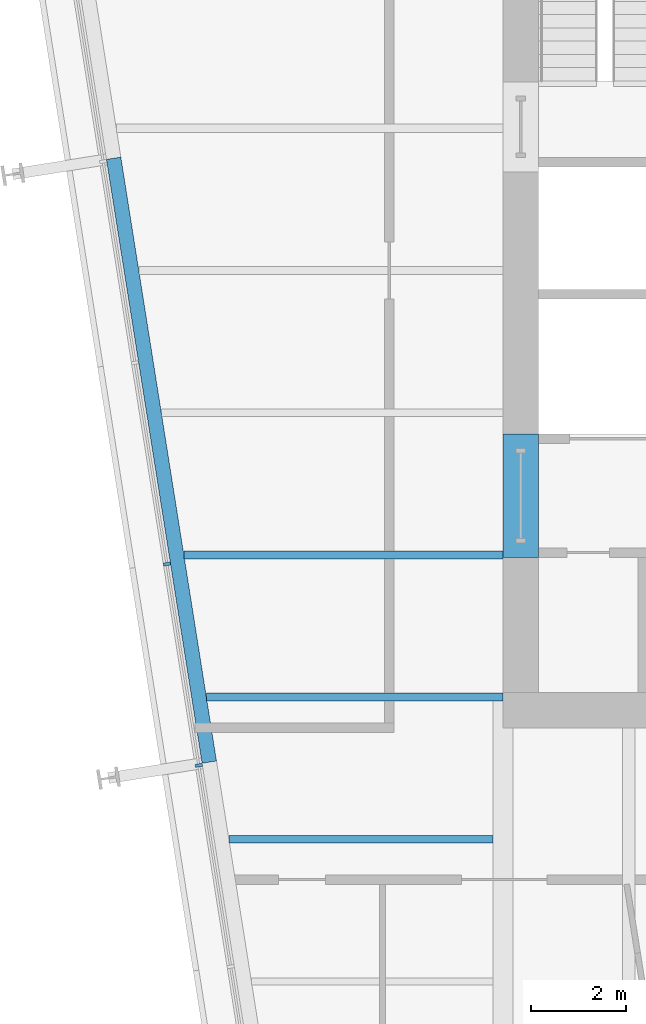
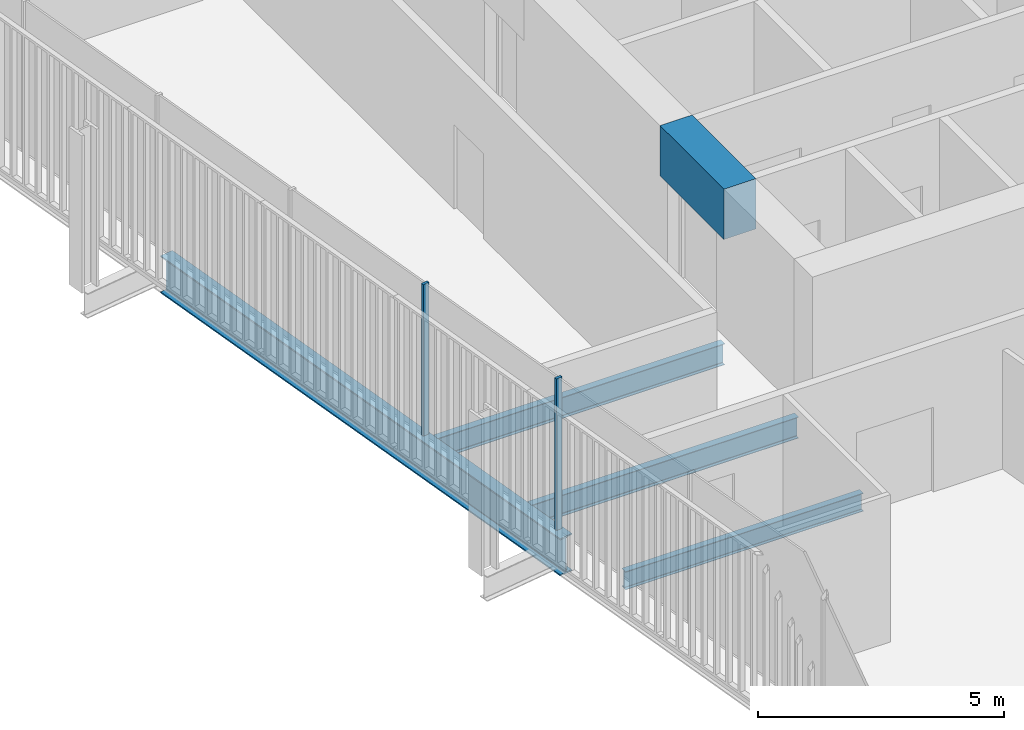
# One storey, part 4 of 21: 5 beams, 2 members, 1 element without a shape of its own.
"""IFC4 building model written with IfcOpenShell, lengths in metres."""

from ifc_helpers import new_model, si_unit, direction, frame, origin, origin_2d, place, context, subcontext, project, spatial, rectangle, i_section, extrude, material, layer, layer_set, material_profile, profile_set, type_object, element, aggregate, save


model = new_model("IFC4")

# Units and contexts
model_context = context("Model", 3, precision=1e-05, world=origin(), true_north=direction((0.0, 1.0)))
body_context = subcontext(model_context, "Body", "Model", "MODEL_VIEW")
ifc_project = project(units=[si_unit("LENGTHUNIT", "METRE"), si_unit("AREAUNIT", "SQUARE_METRE"), si_unit("VOLUMEUNIT", "CUBIC_METRE"), si_unit("PLANEANGLEUNIT", "RADIAN"), si_unit("MASSUNIT", "GRAM", prefix="KILO")], contexts=[model_context])

# Site, building, storey
site_placement = place(None, origin())
site = spatial("IfcSite", under=ifc_project, at=site_placement, CompositionType="ELEMENT")
building_placement = place(site_placement, origin())
building = spatial("IfcBuilding", under=site, at=building_placement, Name="Millrace Tower", CompositionType="ELEMENT")
storey_placement = place(building_placement, frame((0.0, 0.0, 191.699951171875)))
storey = spatial("IfcBuildingStorey", under=building, at=storey_placement, Name="L43", CompositionType="ELEMENT", Elevation=191.699951171875)

# Curtain wall, members
ifc_material_1 = material(Name="Aluminium and glass", Category="aluminium")
ifc_layer = layer(ifc_material_1, 0.14990234375)
ifc_layer_set = layer_set([ifc_layer], Name="Aluminium and glass")
curtain_wall_type = type_object("IfcCurtainWallType", Name="CW-1 office vision curtain wall", PredefinedType="NOTDEFINED", material=ifc_layer_set)
curtain_wall_placement = place(storey_placement, origin())
curtain_wall = element("IfcCurtainWall", 1, at=curtain_wall_placement, inside=storey, type_object=curtain_wall_type, Name="Curtain wall C-F08 L43", PredefinedType="NOTDEFINED")
ifc_material_2 = material(Name="Aluminium", Category="aluminium")
ifc_material_profile_1 = material_profile(ifc_material_2, rectangle(XDim=0.06494140625, YDim=0.14990234375, at=origin_2d()))
ifc_profile_set_1 = profile_set([ifc_material_profile_1], Name="Aluminium")
member_type = type_object("IfcMemberType", Name="CW-1 office vision curtain wall mullion", PredefinedType="MULLION", material=ifc_profile_set_1)
member_1_placement = place(storey_placement, frame((-21.743408203125, -6.193603515625, 0.14013671875), z_axis=(0.0, 0.0, 1.0), x_axis=(0.15643447328, -0.98768833929, 0.0)))
member_1 = element("IfcMember", 2, at=member_1_placement, type_object=member_type, Name="CW1 mullion C-F08.6", PredefinedType="MULLION", context=body_context, shape_type="SweptSolid", body=[
    extrude(rectangle(XDim=0.06494140625, YDim=0.14990234375, at=origin_2d()), origin(), (0.0, 0.0, 1.0), 3.760009765625),
])
member_2_placement = place(storey_placement, frame((-21.070556640625, -10.440673828125, 0.14013671875), z_axis=(0.0, 0.0, 1.0), x_axis=(0.15643447328, -0.98768833929, 0.0)))
member_2 = element("IfcMember", 3, at=member_2_placement, type_object=member_type, Name="CW1 mullion C-F08.7", PredefinedType="MULLION", context=body_context, shape_type="SweptSolid", body=[
    extrude(rectangle(XDim=0.06494140625, YDim=0.14990234375, at=origin_2d()), origin(), (0.0, 0.0, 1.0), 3.760009765625),
])
aggregate(curtain_wall, [member_1, member_2])

# Beams
ifc_material_3 = material(Name="Concrete C70", Category="concrete")
ifc_material_profile_2 = material_profile(ifc_material_3, rectangle(XDim=0.75, YDim=1.25, at=origin_2d()))
ifc_profile_set_2 = profile_set([ifc_material_profile_2], Name="Concrete C70")
beam_type_1 = type_object("IfcBeamType", Name="Coupling beam 750 x 1250 Concrete C70, 2000 opening", PredefinedType="BEAM", material=ifc_profile_set_2)
beam_1_placement = place(storey_placement, frame((-14.27490234375, -6.050048828125, 3.025146484375), z_axis=(0.0, 1.0, 0.0), x_axis=(-1.0, 0.0, 0.0)))
element("IfcBeam", 4, at=beam_1_placement, inside=storey, type_object=beam_type_1, Name="Coupling beam W L43", PredefinedType="BEAM", context=body_context, shape_type="SweptSolid", body=[
    extrude(rectangle(XDim=0.75, YDim=1.25, at=origin_2d()), origin(), (0.0, 0.0, 1.0), 2.60009765625),
])
ifc_material_4 = material(Name="Steel ASTM A992 Grade 50", Category="steel")
ifc_material_profile_3 = material_profile(ifc_material_4, i_section(OverallWidth=0.15234375, OverallDepth=0.449462890625, WebThickness=0.007568359375, FlangeThickness=0.0107421875, FilletRadius=0.01025390625, at=origin_2d()))
ifc_profile_set_3 = profile_set([ifc_material_profile_3], Name="Steel ASTM A992 Grade 50")
beam_type_2 = type_object("IfcBeamType", Name="Floor beam W18x35", PredefinedType="JOIST", material=ifc_profile_set_3)
beam_2_placement = place(storey_placement, frame((-20.4365234375, -12.0, -0.384765625), z_axis=(1.0, 0.0, 0.0), x_axis=(0.0, 1.0, 0.0)))
element("IfcBeam", 5, at=beam_2_placement, inside=storey, type_object=beam_type_2, Name="BM-C-L43-S1-S008", PredefinedType="JOIST", context=body_context, shape_type="SweptSolid", body=[
    extrude(i_section(OverallWidth=0.15234375, OverallDepth=0.449462890625, WebThickness=0.007568359375, FlangeThickness=0.0107421875, FilletRadius=0.01025390625, at=origin_2d()), origin(), (0.0, 0.0, 1.0), 5.576904296875),
])
ifc_material_5 = material(Name="Steel ASTM A992 Grade 50", Category="steel")
ifc_material_profile_4 = material_profile(ifc_material_5, i_section(OverallWidth=0.1650390625, OverallDepth=0.52587890625, WebThickness=0.0087890625, FlangeThickness=0.011474609375, FilletRadius=0.0126953125, at=origin_2d()))
ifc_profile_set_4 = profile_set([ifc_material_profile_4], Name="Steel ASTM A992 Grade 50")
beam_type_3 = type_object("IfcBeamType", Name="Floor beam W21x44", PredefinedType="JOIST", material=ifc_profile_set_4)
beam_3_placement = place(storey_placement, frame((-20.91162109375, -9.0, -0.4228515625), z_axis=(1.0, 0.0, 0.0), x_axis=(0.0, 1.0, 0.0)))
element("IfcBeam", 6, at=beam_3_placement, inside=storey, type_object=beam_type_3, Name="BM-C-L43-S1-S011", PredefinedType="JOIST", context=body_context, shape_type="SweptSolid", body=[
    extrude(i_section(OverallWidth=0.1650390625, OverallDepth=0.52587890625, WebThickness=0.0087890625, FlangeThickness=0.011474609375, FilletRadius=0.0126953125, at=origin_2d()), origin(), (0.0, 0.0, 1.0), 6.26171875),
])
beam_4_placement = place(storey_placement, frame((-21.386962890625, -6.0, -0.4228515625), z_axis=(1.0, 0.0, 0.0), x_axis=(0.0, 1.0, 0.0)))
element("IfcBeam", 7, at=beam_4_placement, inside=storey, type_object=beam_type_3, Name="BM-C-L43-S1-S014", PredefinedType="JOIST", context=body_context, shape_type="SweptSolid", body=[
    extrude(i_section(OverallWidth=0.1650390625, OverallDepth=0.52587890625, WebThickness=0.0087890625, FlangeThickness=0.011474609375, FilletRadius=0.0126953125, at=origin_2d()), origin(), (0.0, 0.0, 1.0), 6.737060546875),
])
ifc_material_6 = material(Name="Steel ASTM A992 Grade 50", Category="steel")
ifc_material_profile_5 = material_profile(ifc_material_6, i_section(OverallWidth=0.307373046875, OverallDepth=0.927001953125, WebThickness=0.01953125, FlangeThickness=0.031982421875, FilletRadius=0.01904296875, at=origin_2d()))
ifc_profile_set_5 = profile_set([ifc_material_profile_5], Name="Steel ASTM A992 Grade 50")
beam_type_4 = type_object("IfcBeamType", Name="Ring beam medium span W36x194", PredefinedType="SPANDREL", material=ifc_profile_set_5)
beam_5_placement = place(storey_placement, frame((-20.849853515625, -10.372802734375, -0.62353515625), z_axis=(-0.156438763615, 0.987687659758, 0.0), x_axis=(-0.987687659758, -0.156438763615, 0.0)))
element("IfcBeam", 8, at=beam_5_placement, inside=storey, type_object=beam_type_4, Name="RNG-C-L43-S1-02", PredefinedType="SPANDREL", context=body_context, shape_type="SweptSolid", body=[
    extrude(i_section(OverallWidth=0.307373046875, OverallDepth=0.927001953125, WebThickness=0.01953125, FlangeThickness=0.031982421875, FilletRadius=0.01904296875, at=origin_2d()), origin(), (0.0, 0.0, 1.0), 12.900146484375),
])

save(model, "model.ifc")
